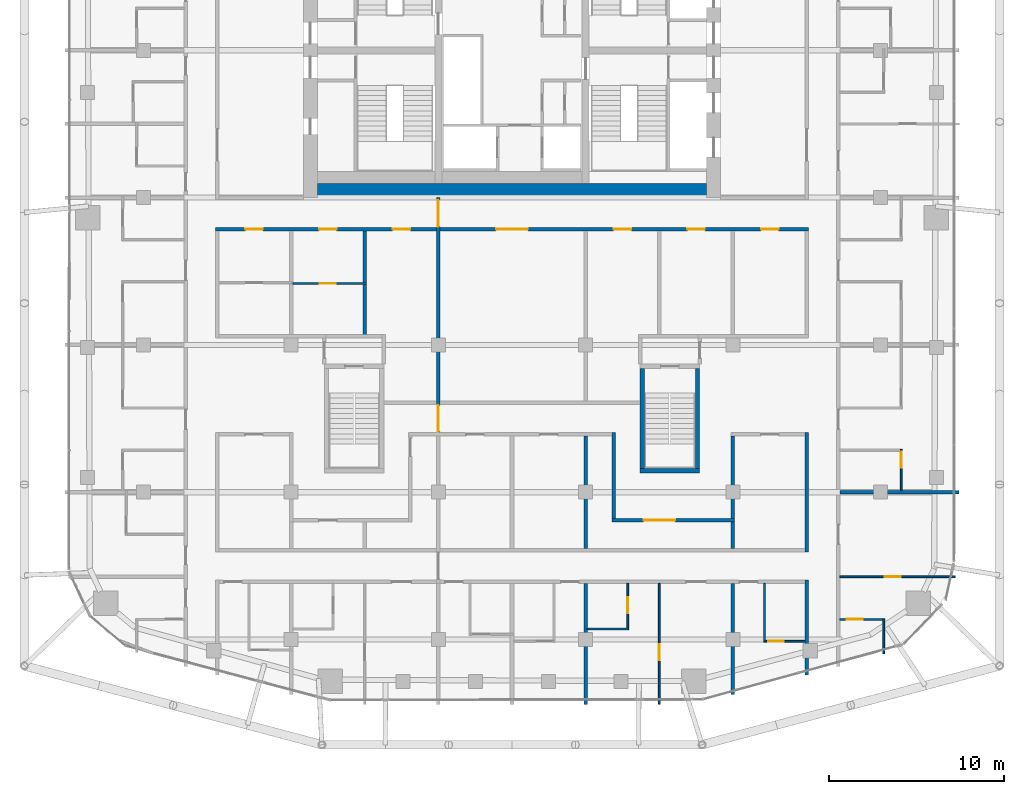
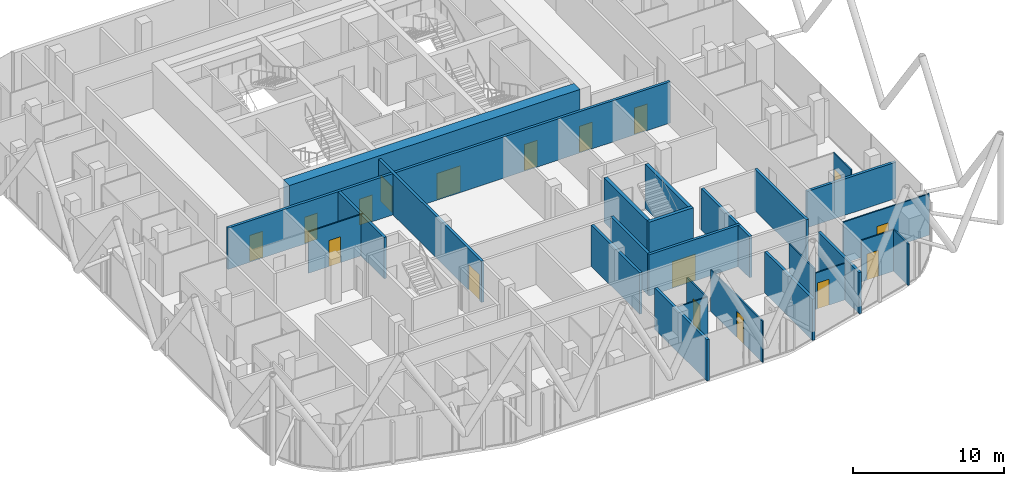
# One storey, part 25 of 31: 27 walls, 17 doors, 17 openings.
"""IFC4 building model written with IfcOpenShell, lengths in metres."""

from ifc_helpers import new_model, si_unit, direction, frame, frame_2d, origin, place, context, subcontext, project, spatial, rectangle, extrude, material, layer, layer_set, type_object, element, fill, save


model = new_model("IFC4")

# Units and contexts
model_context = context("Model", 3, precision=1e-05, world=origin(), true_north=direction((0.0, 1.0)))
body_context = subcontext(model_context, "Body", "Model", "MODEL_VIEW")
ifc_project = project(units=[si_unit("LENGTHUNIT", "METRE"), si_unit("AREAUNIT", "SQUARE_METRE"), si_unit("VOLUMEUNIT", "CUBIC_METRE"), si_unit("PLANEANGLEUNIT", "RADIAN"), si_unit("MASSUNIT", "GRAM", prefix="KILO")], contexts=[model_context])

# Site, building, storey
site_placement = place(None, origin())
site = spatial("IfcSite", under=ifc_project, at=site_placement, CompositionType="ELEMENT")
building_placement = place(site_placement, origin())
building = spatial("IfcBuilding", under=site, at=building_placement, Name="Marenta Gate Hotel Tower", CompositionType="ELEMENT")
storey_placement = place(building_placement, frame((0.0, 0.0, 234.5)))
storey = spatial("IfcBuildingStorey", under=building, at=storey_placement, Name="L55", CompositionType="ELEMENT", Elevation=234.5)

# Wall, openings, doors
ifc_material_1 = material(Name="Concrete blockwork", Category="masonry")
ifc_layer_1 = layer(ifc_material_1, 0.199951171875)
ifc_layer_set_1 = layer_set([ifc_layer_1], Name="Concrete blockwork")
wall_type_1 = type_object("IfcWallType", Name="Compartment wall 200 REI 180", PredefinedType="PARTITIONING", material=ifc_layer_set_1)
wall_1_placement = place(storey_placement, frame((-4.199951171875, -13.60009765625, 0.0), z_axis=(0.0, 0.0, 1.0), x_axis=(0.0, 1.0, 0.0)))
wall_1 = element("IfcWall", 1, at=wall_1_placement, inside=storey, type_object=wall_type_1, Name="L55-PTN-W080", PredefinedType="PARTITIONING", context=body_context, shape_type="SweptSolid", body=[
    extrude(rectangle(XDim=13.60009765625, YDim=0.199951171875, at=frame_2d((6.800048828125, 0.0))), origin(), (0.0, 0.0, 1.0), 3.340087890625),
])
opening_1_placement = place(wall_1_placement, frame((11.949951171875, 0.0, 0.0)))
opening_1 = element("IfcOpeningElement", 2, at=opening_1_placement, cuts=wall_1, Name="Opening G20-FD2", PredefinedType="OPENING", context=body_context, shape_type="SweptSolid", body=[
    extrude(rectangle(XDim=1.5, YDim=2.10009765625, at=frame_2d((0.75, 1.050048828125))), frame((0.0, 0.10009765625, 0.0), z_axis=(0.0, -1.0, 0.0), x_axis=(1.0, 0.0, 0.0)), (0.0, 0.0, 1.0), 0.199951171875),
])
opening_2_placement = place(wall_1_placement, frame((0.25, 0.0, 0.0)))
opening_2 = element("IfcOpeningElement", 3, at=opening_2_placement, cuts=wall_1, Name="Opening G20-FD3", PredefinedType="OPENING", context=body_context, shape_type="SweptSolid", body=[
    extrude(rectangle(XDim=1.5, YDim=2.10009765625, at=frame_2d((0.75, 1.050048828125))), frame((0.0, 0.10009765625, 0.0), z_axis=(0.0, -1.0, 0.0), x_axis=(1.0, 0.0, 0.0)), (0.0, 0.0, 1.0), 0.199951171875),
])
ifc_material_2 = material(Name="Hollow steel door set", Category="steel")
door_type_1 = type_object("IfcDoorType", Name="Compartment fire door 1500x2100 EI 60", OperationType="DOUBLE_DOOR_DOUBLE_SWING", PredefinedType="DOOR", material=ifc_material_2)
door_1_placement = place(opening_1_placement, origin())
door_1 = element("IfcDoor", 4, at=door_1_placement, inside=storey, type_object=door_type_1, Name="L55-PD-FD02", OperationType="DOUBLE_DOOR_DOUBLE_SWING", OverallHeight=2.10009765625, OverallWidth=1.5, PredefinedType="DOOR", context=body_context, shape_type="SweptSolid", body=[
    extrude(rectangle(XDim=1.5, YDim=2.10009765625, at=frame_2d((0.75, 1.050048828125))), frame((0.0, 0.02490234375, 0.0), z_axis=(0.0, -1.0, 0.0), x_axis=(1.0, 0.0, 0.0)), (0.0, 0.0, 1.0), 0.050048828125),
])
fill(opening_1, door_1)
door_2_placement = place(opening_2_placement, origin())
door_2 = element("IfcDoor", 5, at=door_2_placement, inside=storey, type_object=door_type_1, Name="L55-PD-FD03", OperationType="DOUBLE_DOOR_DOUBLE_SWING", OverallHeight=2.10009765625, OverallWidth=1.5, PredefinedType="DOOR", context=body_context, shape_type="SweptSolid", body=[
    extrude(rectangle(XDim=1.5, YDim=2.10009765625, at=frame_2d((0.75, 1.050048828125))), frame((0.0, 0.02490234375, 0.0), z_axis=(0.0, -1.0, 0.0), x_axis=(1.0, 0.0, 0.0)), (0.0, 0.0, 1.0), 0.050048828125),
])
fill(opening_2, door_2)

# Walls
ifc_material_3 = material(Name="Concrete C60", Category="concrete")
ifc_layer_2 = layer(ifc_material_3, 0.800048828125)
ifc_layer_set_2 = layer_set([ifc_layer_2], Name="Concrete C60")
wall_type_2 = type_object("IfcWallType", Name="Core wall 800 C60", PredefinedType="SHEAR", material=ifc_layer_set_2)
wall_2_placement = place(storey_placement, frame((-11.10009765625, 0.39990234375, 0.0), z_axis=(0.0, 0.0, 1.0), x_axis=(1.0, 0.0, 0.0)))
element("IfcWall", 6, at=wall_2_placement, inside=storey, type_object=wall_type_2, Name="L55-CORE-S", PredefinedType="SHEAR", context=body_context, shape_type="SweptSolid", body=[
    extrude(rectangle(XDim=22.2001953125, YDim=0.800048828125, at=frame_2d((11.10009765625, 0.0))), origin(), (0.0, 0.0, 1.0), 3.60009765625),
])
ifc_material_4 = material(Name="Concrete C40", Category="concrete")
ifc_layer_3 = layer(ifc_material_4, 0.25)
ifc_layer_set_3 = layer_set([ifc_layer_3], Name="Concrete C40")
wall_type_3 = type_object("IfcWallType", Name="Remote stair enclosure wall 250 REI 180", PredefinedType="SHEAR", material=ifc_layer_set_3)
wall_3_placement = place(storey_placement, frame((7.300048828125, -15.574951171875, 0.10009765625), z_axis=(0.0, 0.0, 1.0), x_axis=(1.0, 0.0, 0.0)))
element("IfcWall", 7, at=wall_3_placement, inside=storey, type_object=wall_type_3, Name="L55-RS-Z3-2-W1", PredefinedType="SHEAR", context=body_context, shape_type="SweptSolid", body=[
    extrude(rectangle(XDim=3.39990234375, YDim=0.25, at=frame_2d((1.699951171875, 0.0))), origin(), (0.0, 0.0, 1.0), 3.599853515625),
])
for number, where, z_axis, x_axis, name in (
    (8, (7.425048828125, -15.449951171875, 0.10009765625), (0.0, 0.0, 1.0), (0.0, 1.0, 0.0), "L55-RS-Z3-2-W3"),
    (9, (10.574951171875, -15.449951171875, 0.10009765625), (0.0, 0.0, 1.0), (0.0, 1.0, 0.0), "L55-RS-Z3-2-W4"),
):
    element("IfcWall", number, at=place(storey_placement, frame(where, z_axis=z_axis, x_axis=x_axis)), inside=storey, type_object=wall_type_3, Name=name, PredefinedType="SHEAR", context=body_context, shape_type="SweptSolid", body=[
        extrude(rectangle(XDim=5.699951171875, YDim=0.25, at=frame_2d((2.85009765625, 0.0))), origin(), (0.0, 0.0, 1.0), 3.599853515625),
    ])

# Wall, openings, doors
ifc_material_5 = material(Name="Concrete blockwork", Category="masonry")
ifc_layer_4 = layer(ifc_material_5, 0.199951171875)
ifc_layer_set_4 = layer_set([ifc_layer_4], Name="Concrete blockwork")
wall_type_4 = type_object("IfcWallType", Name="Room corridor wall 200 EI 120", PredefinedType="PARTITIONING", material=ifc_layer_set_4)
wall_4_placement = place(storey_placement, frame((-16.89990234375, -1.800048828125, 0.0), z_axis=(0.0, 0.0, 1.0), x_axis=(1.0, 0.0, 0.0)))
wall_4 = element("IfcWall", 10, at=wall_4_placement, inside=storey, type_object=wall_type_4, Name="L55-PTN-W070", PredefinedType="PARTITIONING", context=body_context, shape_type="SweptSolid", body=[
    extrude(rectangle(XDim=33.7998046875, YDim=0.199951171875, at=frame_2d((16.89990234375, 0.0))), origin(), (0.0, 0.0, 1.0), 3.340087890625),
])
opening_3_placement = place(wall_4_placement, frame((1.699951171875, 0.0, 0.0)))
opening_3 = element("IfcOpeningElement", 11, at=opening_3_placement, cuts=wall_4, Name="Opening G20-01", PredefinedType="OPENING", context=body_context, shape_type="SweptSolid", body=[
    extrude(rectangle(XDim=1.0, YDim=2.10009765625, at=frame_2d((0.5, 1.050048828125))), frame((0.0, 0.10009765625, 0.0), z_axis=(0.0, -1.0, 0.0), x_axis=(1.0, 0.0, 0.0)), (0.0, 0.0, 1.0), 0.199951171875),
])
opening_4_placement = place(wall_4_placement, frame((5.89990234375, 0.0, 0.0)))
opening_4 = element("IfcOpeningElement", 12, at=opening_4_placement, cuts=wall_4, Name="Opening G20-03", PredefinedType="OPENING", context=body_context, shape_type="SweptSolid", body=[
    extrude(rectangle(XDim=1.0, YDim=2.10009765625, at=frame_2d((0.5, 1.050048828125))), frame((0.0, 0.10009765625, 0.0), z_axis=(0.0, -1.0, 0.0), x_axis=(1.0, 0.0, 0.0)), (0.0, 0.0, 1.0), 0.199951171875),
])
opening_5_placement = place(wall_4_placement, frame((10.10009765625, 0.0, 0.0)))
opening_5 = element("IfcOpeningElement", 13, at=opening_5_placement, cuts=wall_4, Name="Opening G20-05", PredefinedType="OPENING", context=body_context, shape_type="SweptSolid", body=[
    extrude(rectangle(XDim=1.0, YDim=2.10009765625, at=frame_2d((0.5, 1.050048828125))), frame((0.0, 0.10009765625, 0.0), z_axis=(0.0, -1.0, 0.0), x_axis=(1.0, 0.0, 0.0)), (0.0, 0.0, 1.0), 0.199951171875),
])
opening_6_placement = place(wall_4_placement, frame((16.0, 0.0, 0.0)))
opening_6 = element("IfcOpeningElement", 14, at=opening_6_placement, cuts=wall_4, Name="Opening G20-06", PredefinedType="OPENING", context=body_context, shape_type="SweptSolid", body=[
    extrude(rectangle(XDim=1.800048828125, YDim=2.10009765625, at=frame_2d((0.89990234375, 1.050048828125))), frame((0.0, 0.10009765625, 0.0), z_axis=(0.0, -1.0, 0.0), x_axis=(1.0, 0.0, 0.0)), (0.0, 0.0, 1.0), 0.199951171875),
])
opening_7_placement = place(wall_4_placement, frame((22.699951171875, 0.0, 0.0)))
opening_7 = element("IfcOpeningElement", 15, at=opening_7_placement, cuts=wall_4, Name="Opening G20-07", PredefinedType="OPENING", context=body_context, shape_type="SweptSolid", body=[
    extrude(rectangle(XDim=1.0, YDim=2.10009765625, at=frame_2d((0.5, 1.050048828125))), frame((0.0, 0.10009765625, 0.0), z_axis=(0.0, -1.0, 0.0), x_axis=(1.0, 0.0, 0.0)), (0.0, 0.0, 1.0), 0.199951171875),
])
opening_8_placement = place(wall_4_placement, frame((26.89990234375, 0.0, 0.0)))
opening_8 = element("IfcOpeningElement", 16, at=opening_8_placement, cuts=wall_4, Name="Opening G20-08", PredefinedType="OPENING", context=body_context, shape_type="SweptSolid", body=[
    extrude(rectangle(XDim=1.0, YDim=2.10009765625, at=frame_2d((0.5, 1.050048828125))), frame((0.0, 0.10009765625, 0.0), z_axis=(0.0, -1.0, 0.0), x_axis=(1.0, 0.0, 0.0)), (0.0, 0.0, 1.0), 0.199951171875),
])
opening_9_placement = place(wall_4_placement, frame((31.10009765625, 0.0, 0.0)))
opening_9 = element("IfcOpeningElement", 17, at=opening_9_placement, cuts=wall_4, Name="Opening G20-09", PredefinedType="OPENING", context=body_context, shape_type="SweptSolid", body=[
    extrude(rectangle(XDim=1.0, YDim=2.10009765625, at=frame_2d((0.5, 1.050048828125))), frame((0.0, 0.10009765625, 0.0), z_axis=(0.0, -1.0, 0.0), x_axis=(1.0, 0.0, 0.0)), (0.0, 0.0, 1.0), 0.199951171875),
])
ifc_material_6 = material(Name="Timber door leaf", Category="wood")
door_type_2 = type_object("IfcDoorType", Name="Room amenity door 1000x2100 EI 60", OperationType="NOTDEFINED", PredefinedType="DOOR", material=ifc_material_6)
door_3_placement = place(opening_5_placement, origin())
door_3 = element("IfcDoor", 18, at=door_3_placement, inside=storey, type_object=door_type_2, Name="L55-PD-D005", OperationType="SINGLE_SWING_RIGHT", OverallHeight=2.10009765625, OverallWidth=1.0, PredefinedType="DOOR", context=body_context, shape_type="SweptSolid", body=[
    extrude(rectangle(XDim=1.0, YDim=2.10009765625, at=frame_2d((0.5, 1.050048828125))), frame((0.0, 0.02490234375, 0.0), z_axis=(0.0, -1.0, 0.0), x_axis=(1.0, 0.0, 0.0)), (0.0, 0.0, 1.0), 0.050048828125),
])
fill(opening_5, door_3)
door_4_placement = place(opening_7_placement, origin())
door_4 = element("IfcDoor", 19, at=door_4_placement, inside=storey, type_object=door_type_2, Name="L55-PD-D007", OperationType="SINGLE_SWING_RIGHT", OverallHeight=2.10009765625, OverallWidth=1.0, PredefinedType="DOOR", context=body_context, shape_type="SweptSolid", body=[
    extrude(rectangle(XDim=1.0, YDim=2.10009765625, at=frame_2d((0.5, 1.050048828125))), frame((0.0, 0.02490234375, 0.0), z_axis=(0.0, -1.0, 0.0), x_axis=(1.0, 0.0, 0.0)), (0.0, 0.0, 1.0), 0.050048828125),
])
fill(opening_7, door_4)
door_5_placement = place(opening_8_placement, origin())
door_5 = element("IfcDoor", 20, at=door_5_placement, inside=storey, type_object=door_type_2, Name="L55-PD-D008", OperationType="SINGLE_SWING_LEFT", OverallHeight=2.10009765625, OverallWidth=1.0, PredefinedType="DOOR", context=body_context, shape_type="SweptSolid", body=[
    extrude(rectangle(XDim=1.0, YDim=2.10009765625, at=frame_2d((0.5, 1.050048828125))), frame((0.0, 0.02490234375, 0.0), z_axis=(0.0, -1.0, 0.0), x_axis=(1.0, 0.0, 0.0)), (0.0, 0.0, 1.0), 0.050048828125),
])
fill(opening_8, door_5)
door_6_placement = place(opening_9_placement, origin())
door_6 = element("IfcDoor", 21, at=door_6_placement, inside=storey, type_object=door_type_2, Name="L55-PD-D009", OperationType="SINGLE_SWING_RIGHT", OverallHeight=2.10009765625, OverallWidth=1.0, PredefinedType="DOOR", context=body_context, shape_type="SweptSolid", body=[
    extrude(rectangle(XDim=1.0, YDim=2.10009765625, at=frame_2d((0.5, 1.050048828125))), frame((0.0, 0.02490234375, 0.0), z_axis=(0.0, -1.0, 0.0), x_axis=(1.0, 0.0, 0.0)), (0.0, 0.0, 1.0), 0.050048828125),
])
fill(opening_9, door_6)
ifc_material_7 = material(Name="Timber door leaf", Category="wood")
door_type_3 = type_object("IfcDoorType", Name="Room amenity door 1800x2100 EI 60", OperationType="DOUBLE_DOOR_SINGLE_SWING", PredefinedType="DOOR", material=ifc_material_7)
door_7_placement = place(opening_6_placement, origin())
door_7 = element("IfcDoor", 22, at=door_7_placement, inside=storey, type_object=door_type_3, Name="L55-PD-D006", OperationType="DOUBLE_DOOR_SINGLE_SWING", OverallHeight=2.10009765625, OverallWidth=1.800048828125, PredefinedType="DOOR", context=body_context, shape_type="SweptSolid", body=[
    extrude(rectangle(XDim=1.800048828125, YDim=2.10009765625, at=frame_2d((0.89990234375, 1.050048828125))), frame((0.0, 0.02490234375, 0.0), z_axis=(0.0, -1.0, 0.0), x_axis=(1.0, 0.0, 0.0)), (0.0, 0.0, 1.0), 0.050048828125),
])
fill(opening_6, door_7)
ifc_material_8 = material(Name="Hollow steel door set", Category="steel")
door_type_4 = type_object("IfcDoorType", Name="Room service door 1000x2100 EI 60", OperationType="NOTDEFINED", PredefinedType="DOOR", material=ifc_material_8)
door_8_placement = place(opening_3_placement, origin())
door_8 = element("IfcDoor", 23, at=door_8_placement, inside=storey, type_object=door_type_4, Name="L55-PD-D001", OperationType="SINGLE_SWING_LEFT", OverallHeight=2.10009765625, OverallWidth=1.0, PredefinedType="DOOR", context=body_context, shape_type="SweptSolid", body=[
    extrude(rectangle(XDim=1.0, YDim=2.10009765625, at=frame_2d((0.5, 1.050048828125))), frame((0.0, 0.02490234375, 0.0), z_axis=(0.0, -1.0, 0.0), x_axis=(1.0, 0.0, 0.0)), (0.0, 0.0, 1.0), 0.050048828125),
])
fill(opening_3, door_8)
door_9_placement = place(opening_4_placement, origin())
door_9 = element("IfcDoor", 24, at=door_9_placement, inside=storey, type_object=door_type_4, Name="L55-PD-D003", OperationType="SINGLE_SWING_LEFT", OverallHeight=2.10009765625, OverallWidth=1.0, PredefinedType="DOOR", context=body_context, shape_type="SweptSolid", body=[
    extrude(rectangle(XDim=1.0, YDim=2.10009765625, at=frame_2d((0.5, 1.050048828125))), frame((0.0, 0.02490234375, 0.0), z_axis=(0.0, -1.0, 0.0), x_axis=(1.0, 0.0, 0.0)), (0.0, 0.0, 1.0), 0.050048828125),
])
fill(opening_4, door_9)

# Wall, opening, door
ifc_material_9 = material(Name="Gypsum board on steel stud", Category="steel")
ifc_layer_5 = layer(ifc_material_9, 0.199951171875)
ifc_layer_set_5 = layer_set([ifc_layer_5], Name="Gypsum board on steel stud")
wall_type_5 = type_object("IfcWallType", Name="Room corridor wall 200 EI 60", PredefinedType="PARTITIONING", material=ifc_layer_set_5)
wall_5_placement = place(storey_placement, frame((5.699951171875, -18.39990234375, 0.0), z_axis=(0.0, 0.0, 1.0), x_axis=(1.0, 0.0, 0.0)))
wall_5 = element("IfcWall", 25, at=wall_5_placement, inside=storey, type_object=wall_type_5, Name="L55-PTN-W025", PredefinedType="PARTITIONING", context=body_context, shape_type="SweptSolid", body=[
    extrude(rectangle(XDim=7.0, YDim=0.199951171875, at=frame_2d((3.5, 0.0))), origin(), (0.0, 0.0, 1.0), 3.340087890625),
])
opening_10_placement = place(wall_5_placement, frame((1.800048828125, 0.0, 0.0)))
opening_10 = element("IfcOpeningElement", 26, at=opening_10_placement, cuts=wall_5, Name="Opening G20-15", PredefinedType="OPENING", context=body_context, shape_type="SweptSolid", body=[
    extrude(rectangle(XDim=1.800048828125, YDim=2.10009765625, at=frame_2d((0.89990234375, 1.050048828125))), frame((0.0, 0.10009765625, 0.0), z_axis=(0.0, -1.0, 0.0), x_axis=(1.0, 0.0, 0.0)), (0.0, 0.0, 1.0), 0.199951171875),
])
ifc_material_10 = material(Name="Timber door leaf", Category="wood")
door_type_5 = type_object("IfcDoorType", Name="Room amenity door 1800x2100 EI 30", OperationType="DOUBLE_DOOR_SINGLE_SWING", PredefinedType="DOOR", material=ifc_material_10)
door_10_placement = place(opening_10_placement, origin())
door_10 = element("IfcDoor", 27, at=door_10_placement, inside=storey, type_object=door_type_5, Name="L55-PD-D015", OperationType="DOUBLE_DOOR_SINGLE_SWING", OverallHeight=2.10009765625, OverallWidth=1.800048828125, PredefinedType="DOOR", context=body_context, shape_type="SweptSolid", body=[
    extrude(rectangle(XDim=1.800048828125, YDim=2.10009765625, at=frame_2d((0.89990234375, 1.050048828125))), frame((0.0, 0.02490234375, 0.0), z_axis=(0.0, -1.0, 0.0), x_axis=(1.0, 0.0, 0.0)), (0.0, 0.0, 1.0), 0.050048828125),
])
fill(opening_10, door_10)

# Walls
wall_6_placement = place(storey_placement, frame((16.800048828125, -27.22900390625, 0.0), z_axis=(0.0, 0.0, 1.0), x_axis=(0.0, 1.0, 0.0)))
element("IfcWall", 28, at=wall_6_placement, inside=storey, type_object=wall_type_5, Name="L55-PTN-W026", PredefinedType="PARTITIONING", context=body_context, shape_type="SweptSolid", body=[
    extrude(rectangle(XDim=5.428955078125, YDim=0.199951171875, at=frame_2d((2.71435546875, 0.0))), origin(), (0.0, 0.0, 1.0), 3.340087890625),
])
wall_7_placement = place(storey_placement, frame((16.800048828125, -20.199951171875, 0.0), z_axis=(0.0, 0.0, 1.0), x_axis=(0.0, 1.0, 0.0)))
element("IfcWall", 29, at=wall_7_placement, inside=storey, type_object=wall_type_5, Name="L55-PTN-W027", PredefinedType="PARTITIONING", context=body_context, shape_type="SweptSolid", body=[
    extrude(rectangle(XDim=6.800048828125, YDim=0.199951171875, at=frame_2d((3.39990234375, 0.0))), origin(), (0.0, 0.0, 1.0), 3.340087890625),
])
wall_8_placement = place(storey_placement, frame((12.60009765625, -18.300048828125, 0.0), z_axis=(0.0, 0.0, 1.0), x_axis=(0.0, 1.0, 0.0)))
element("IfcWall", 30, at=wall_8_placement, inside=storey, type_object=wall_type_5, Name="L55-PTN-W042", PredefinedType="PARTITIONING", context=body_context, shape_type="SweptSolid", body=[
    extrude(rectangle(XDim=4.699951171875, YDim=0.199951171875, at=frame_2d((2.35009765625, 0.0))), origin(), (0.0, 0.0, 1.0), 3.340087890625),
])
wall_9_placement = place(storey_placement, frame((5.800048828125, -18.300048828125, 0.0), z_axis=(0.0, 0.0, 1.0), x_axis=(0.0, 1.0, 0.0)))
element("IfcWall", 31, at=wall_9_placement, inside=storey, type_object=wall_type_5, Name="L55-PTN-W058", PredefinedType="PARTITIONING", context=body_context, shape_type="SweptSolid", body=[
    extrude(rectangle(XDim=4.900146484375, YDim=0.199951171875, at=frame_2d((2.4501953125, 0.0))), origin(), (0.0, 0.0, 1.0), 3.340087890625),
])

# Wall, opening, door
ifc_material_11 = material(Name="Gypsum board on steel stud", Category="steel")
ifc_layer_6 = layer(ifc_material_11, 0.10009765625)
ifc_layer_set_6 = layer_set([ifc_layer_6], Name="Gypsum board on steel stud")
wall_type_6 = type_object("IfcWallType", Name="Room partition 100", PredefinedType="PARTITIONING", material=ifc_layer_set_6)
wall_10_placement = place(storey_placement, frame((14.449951171875, -25.300048828125, 0.0), z_axis=(0.0, 0.0, 1.0), x_axis=(1.0, 0.0, 0.0)))
wall_10 = element("IfcWall", 32, at=wall_10_placement, inside=storey, type_object=wall_type_6, Name="L55-PTN-W004", PredefinedType="PARTITIONING", context=body_context, shape_type="SweptSolid", body=[
    extrude(rectangle(XDim=2.25, YDim=0.10009765625, at=frame_2d((1.125, 0.0))), origin(), (0.0, 0.0, 1.0), 2.93994140625),
])
opening_11_placement = place(wall_10_placement, frame((0.14990234375, 0.0, 0.0)))
opening_11 = element("IfcOpeningElement", 33, at=opening_11_placement, cuts=wall_10, Name="Opening G20-51", PredefinedType="OPENING", context=body_context, shape_type="SweptSolid", body=[
    extrude(rectangle(XDim=0.89990234375, YDim=2.10009765625, at=frame_2d((0.449951171875, 1.050048828125))), frame((0.0, 0.050048828125, 0.0), z_axis=(0.0, -1.0, 0.0), x_axis=(1.0, 0.0, 0.0)), (0.0, 0.0, 1.0), 0.10009765625),
])
ifc_material_12 = material(Name="Timber door leaf", Category="wood")
door_type_6 = type_object("IfcDoorType", Name="Guest bathroom door 900x2100", OperationType="NOTDEFINED", PredefinedType="DOOR", material=ifc_material_12)
door_11_placement = place(opening_11_placement, origin())
door_11 = element("IfcDoor", 34, at=door_11_placement, inside=storey, type_object=door_type_6, Name="L55-PD-D051", OperationType="SINGLE_SWING_LEFT", OverallHeight=2.10009765625, OverallWidth=0.89990234375, PredefinedType="DOOR", context=body_context, shape_type="SweptSolid", body=[
    extrude(rectangle(XDim=0.89990234375, YDim=2.10009765625, at=frame_2d((0.449951171875, 1.050048828125))), frame((0.0, 0.02490234375, 0.0), z_axis=(0.0, -1.0, 0.0), x_axis=(1.0, 0.0, 0.0)), (0.0, 0.0, 1.0), 0.050048828125),
])
fill(opening_11, door_11)

# Wall
wall_11_placement = place(storey_placement, frame((4.300048828125, -24.60009765625, 0.0), z_axis=(0.0, 0.0, 1.0), x_axis=(1.0, 0.0, 0.0)))
element("IfcWall", 35, at=wall_11_placement, inside=storey, type_object=wall_type_6, Name="L55-PTN-W007", PredefinedType="PARTITIONING", context=body_context, shape_type="SweptSolid", body=[
    extrude(rectangle(XDim=2.349853515625, YDim=0.10009765625, at=frame_2d((1.1748046875, 0.0))), origin(), (0.0, 0.0, 1.0), 3.340087890625),
])

# Wall, opening, door
wall_12_placement = place(storey_placement, frame((18.699951171875, -24.051025390625, 0.0), z_axis=(0.0, 0.0, 1.0), x_axis=(1.0, 0.0, 0.0)))
wall_12 = element("IfcWall", 36, at=wall_12_placement, inside=storey, type_object=wall_type_6, Name="L55-PTN-W009", PredefinedType="PARTITIONING", context=body_context, shape_type="SweptSolid", body=[
    extrude(rectangle(XDim=2.449951171875, YDim=0.10009765625, at=frame_2d((1.22509765625, 0.0))), origin(), (0.0, 0.0, 1.0), 3.340087890625),
])
opening_12_placement = place(wall_12_placement, frame((0.39990234375, 0.0, 0.0)))
opening_12 = element("IfcOpeningElement", 37, at=opening_12_placement, cuts=wall_12, Name="Opening G20-19", PredefinedType="OPENING", context=body_context, shape_type="SweptSolid", body=[
    extrude(rectangle(XDim=0.89990234375, YDim=2.10009765625, at=frame_2d((0.449951171875, 1.050048828125))), frame((0.0, 0.050048828125, 0.0), z_axis=(0.0, -1.0, 0.0), x_axis=(1.0, 0.0, 0.0)), (0.0, 0.0, 1.0), 0.10009765625),
])
door_12_placement = place(opening_12_placement, origin())
door_12 = element("IfcDoor", 38, at=door_12_placement, inside=storey, type_object=door_type_6, Name="L55-PD-D019", OperationType="SINGLE_SWING_RIGHT", OverallHeight=2.10009765625, OverallWidth=0.89990234375, PredefinedType="DOOR", context=body_context, shape_type="SweptSolid", body=[
    extrude(rectangle(XDim=0.89990234375, YDim=2.10009765625, at=frame_2d((0.449951171875, 1.050048828125))), frame((0.0, 0.02490234375, 0.0), z_axis=(0.0, -1.0, 0.0), x_axis=(1.0, 0.0, 0.0)), (0.0, 0.0, 1.0), 0.050048828125),
])
fill(opening_12, door_12)

wall_13_placement = place(storey_placement, frame((22.199951171875, -16.699951171875, 0.0), z_axis=(0.0, 0.0, 1.0), x_axis=(0.0, 1.0, 0.0)))
wall_13 = element("IfcWall", 39, at=wall_13_placement, inside=storey, type_object=wall_type_6, Name="L55-PTN-W010", PredefinedType="PARTITIONING", context=body_context, shape_type="SweptSolid", body=[
    extrude(rectangle(XDim=2.349853515625, YDim=0.10009765625, at=frame_2d((1.1748046875, 0.0))), origin(), (0.0, 0.0, 1.0), 3.340087890625),
])
opening_13_placement = place(wall_13_placement, frame((1.300048828125, 0.0, 0.0)))
opening_13 = element("IfcOpeningElement", 40, at=opening_13_placement, cuts=wall_13, Name="Opening G20-22", PredefinedType="OPENING", context=body_context, shape_type="SweptSolid", body=[
    extrude(rectangle(XDim=0.89990234375, YDim=2.10009765625, at=frame_2d((0.449951171875, 1.050048828125))), frame((0.0, 0.050048828125, 0.0), z_axis=(0.0, -1.0, 0.0), x_axis=(1.0, 0.0, 0.0)), (0.0, 0.0, 1.0), 0.10009765625),
])
ifc_material_13 = material(Name="Timber door leaf", Category="wood")
door_type_7 = type_object("IfcDoorType", Name="Room inner door 900x2100", OperationType="NOTDEFINED", PredefinedType="DOOR", material=ifc_material_13)
door_13_placement = place(opening_13_placement, origin())
door_13 = element("IfcDoor", 41, at=door_13_placement, inside=storey, type_object=door_type_7, Name="L55-PD-D022", OperationType="SINGLE_SWING_RIGHT", OverallHeight=2.10009765625, OverallWidth=0.89990234375, PredefinedType="DOOR", context=body_context, shape_type="SweptSolid", body=[
    extrude(rectangle(XDim=0.89990234375, YDim=2.10009765625, at=frame_2d((0.449951171875, 1.050048828125))), frame((0.0, 0.02490234375, 0.0), z_axis=(0.0, -1.0, 0.0), x_axis=(1.0, 0.0, 0.0)), (0.0, 0.0, 1.0), 0.050048828125),
])
fill(opening_13, door_13)

wall_14_placement = place(storey_placement, frame((18.699951171875, -21.625, 0.0), z_axis=(0.0, 0.0, 1.0), x_axis=(1.0, 0.0, 0.0)))
wall_14 = element("IfcWall", 42, at=wall_14_placement, inside=storey, type_object=wall_type_6, Name="L55-PTN-W017", PredefinedType="PARTITIONING", context=body_context, shape_type="SweptSolid", body=[
    extrude(rectangle(XDim=6.575927734375, YDim=0.10009765625, at=frame_2d((3.2880859375, 0.0))), origin(), (0.0, 0.0, 1.0), 3.340087890625),
])
opening_14_placement = place(wall_14_placement, frame((2.56005859375, 0.0, 0.0)))
opening_14 = element("IfcOpeningElement", 43, at=opening_14_placement, cuts=wall_14, Name="Opening G20-18", PredefinedType="OPENING", context=body_context, shape_type="SweptSolid", body=[
    extrude(rectangle(XDim=0.89990234375, YDim=2.10009765625, at=frame_2d((0.449951171875, 1.050048828125))), frame((0.0, 0.050048828125, 0.0), z_axis=(0.0, -1.0, 0.0), x_axis=(1.0, 0.0, 0.0)), (0.0, 0.0, 1.0), 0.10009765625),
])
door_14_placement = place(opening_14_placement, origin())
door_14 = element("IfcDoor", 44, at=door_14_placement, inside=storey, type_object=door_type_7, Name="L55-PD-D018", OperationType="SINGLE_SWING_LEFT", OverallHeight=2.10009765625, OverallWidth=0.89990234375, PredefinedType="DOOR", context=body_context, shape_type="SweptSolid", body=[
    extrude(rectangle(XDim=0.89990234375, YDim=2.10009765625, at=frame_2d((0.449951171875, 1.050048828125))), frame((0.0, 0.02490234375, 0.0), z_axis=(0.0, -1.0, 0.0), x_axis=(1.0, 0.0, 0.0)), (0.0, 0.0, 1.0), 0.050048828125),
])
fill(opening_14, door_14)

# Walls
wall_15_placement = place(storey_placement, frame((21.199951171875, -26.0048828125, 0.0), z_axis=(0.0, 0.0, 1.0), x_axis=(0.0, 1.0, 0.0)))
element("IfcWall", 45, at=wall_15_placement, inside=storey, type_object=wall_type_6, Name="L55-PTN-W019", PredefinedType="PARTITIONING", context=body_context, shape_type="SweptSolid", body=[
    extrude(rectangle(XDim=2.00390625, YDim=0.10009765625, at=frame_2d((1.001953125, 0.0))), origin(), (0.0, 0.0, 1.0), 3.340087890625),
])
wall_16_placement = place(storey_placement, frame((14.39990234375, -25.35009765625, 0.0), z_axis=(0.0, 0.0, 1.0), x_axis=(0.0, 1.0, 0.0)))
element("IfcWall", 46, at=wall_16_placement, inside=storey, type_object=wall_type_6, Name="L55-PTN-W032", PredefinedType="PARTITIONING", context=body_context, shape_type="SweptSolid", body=[
    extrude(rectangle(XDim=3.35009765625, YDim=0.10009765625, at=frame_2d((1.675048828125, 0.0))), origin(), (0.0, 0.0, 1.0), 3.340087890625),
])

# Wall, opening, door
wall_17_placement = place(storey_placement, frame((8.39990234375, -28.89990234375, 0.0), z_axis=(0.0, 0.0, 1.0), x_axis=(0.0, 1.0, 0.0)))
wall_17 = element("IfcWall", 47, at=wall_17_placement, inside=storey, type_object=wall_type_6, Name="L55-PTN-W047", PredefinedType="PARTITIONING", context=body_context, shape_type="SweptSolid", body=[
    extrude(rectangle(XDim=6.89990234375, YDim=0.10009765625, at=frame_2d((3.449951171875, 0.0))), origin(), (0.0, 0.0, 1.0), 3.340087890625),
])
opening_15_placement = place(wall_17_placement, frame((2.530029296875, 0.0, 0.0)))
opening_15 = element("IfcOpeningElement", 48, at=opening_15_placement, cuts=wall_17, Name="Opening G20-48", PredefinedType="OPENING", context=body_context, shape_type="SweptSolid", body=[
    extrude(rectangle(XDim=0.89990234375, YDim=2.10009765625, at=frame_2d((0.449951171875, 1.050048828125))), frame((0.0, 0.050048828125, 0.0), z_axis=(0.0, -1.0, 0.0), x_axis=(1.0, 0.0, 0.0)), (0.0, 0.0, 1.0), 0.10009765625),
])
door_15_placement = place(opening_15_placement, origin())
door_15 = element("IfcDoor", 49, at=door_15_placement, inside=storey, type_object=door_type_7, Name="L55-PD-D048", OperationType="SINGLE_SWING_LEFT", OverallHeight=2.10009765625, OverallWidth=0.89990234375, PredefinedType="DOOR", context=body_context, shape_type="SweptSolid", body=[
    extrude(rectangle(XDim=0.89990234375, YDim=2.10009765625, at=frame_2d((0.449951171875, 1.050048828125))), frame((0.0, 0.02490234375, 0.0), z_axis=(0.0, -1.0, 0.0), x_axis=(1.0, 0.0, 0.0)), (0.0, 0.0, 1.0), 0.050048828125),
])
fill(opening_15, door_15)

wall_18_placement = place(storey_placement, frame((6.60009765625, -24.550048828125, 0.0), z_axis=(0.0, 0.0, 1.0), x_axis=(0.0, 1.0, 0.0)))
wall_18 = element("IfcWall", 50, at=wall_18_placement, inside=storey, type_object=wall_type_6, Name="L55-PTN-W057", PredefinedType="PARTITIONING", context=body_context, shape_type="SweptSolid", body=[
    extrude(rectangle(XDim=2.550048828125, YDim=0.10009765625, at=frame_2d((1.27490234375, 0.0))), origin(), (0.0, 0.0, 1.0), 3.340087890625),
])
opening_16_placement = place(wall_18_placement, frame((0.85009765625, 0.0, 0.0)))
opening_16 = element("IfcOpeningElement", 51, at=opening_16_placement, cuts=wall_18, Name="Opening G20-49", PredefinedType="OPENING", context=body_context, shape_type="SweptSolid", body=[
    extrude(rectangle(XDim=0.89990234375, YDim=2.10009765625, at=frame_2d((0.449951171875, 1.050048828125))), frame((0.0, 0.050048828125, 0.0), z_axis=(0.0, -1.0, 0.0), x_axis=(1.0, 0.0, 0.0)), (0.0, 0.0, 1.0), 0.10009765625),
])
door_16_placement = place(opening_16_placement, origin())
door_16 = element("IfcDoor", 52, at=door_16_placement, inside=storey, type_object=door_type_6, Name="L55-PD-D049", OperationType="SINGLE_SWING_RIGHT", OverallHeight=2.10009765625, OverallWidth=0.89990234375, PredefinedType="DOOR", context=body_context, shape_type="SweptSolid", body=[
    extrude(rectangle(XDim=0.89990234375, YDim=2.10009765625, at=frame_2d((0.449951171875, 1.050048828125))), frame((0.0, 0.02490234375, 0.0), z_axis=(0.0, -1.0, 0.0), x_axis=(1.0, 0.0, 0.0)), (0.0, 0.0, 1.0), 0.050048828125),
])
fill(opening_16, door_16)

wall_19_placement = place(storey_placement, frame((-12.5, -4.89990234375, 0.0), z_axis=(0.0, 0.0, 1.0), x_axis=(1.0, 0.0, 0.0)))
wall_19 = element("IfcWall", 53, at=wall_19_placement, inside=storey, type_object=wall_type_6, Name="L55-PTN-W059", PredefinedType="PARTITIONING", context=body_context, shape_type="SweptSolid", body=[
    extrude(rectangle(XDim=4.199951171875, YDim=0.10009765625, at=frame_2d((2.10009765625, 0.0))), origin(), (0.0, 0.0, 1.0), 3.340087890625),
])
opening_17_placement = place(wall_19_placement, frame((1.550048828125, 0.0, 0.0)))
opening_17 = element("IfcOpeningElement", 54, at=opening_17_placement, cuts=wall_19, Name="Opening G20-04", PredefinedType="OPENING", context=body_context, shape_type="SweptSolid", body=[
    extrude(rectangle(XDim=0.89990234375, YDim=2.10009765625, at=frame_2d((0.449951171875, 1.050048828125))), frame((0.0, 0.050048828125, 0.0), z_axis=(0.0, -1.0, 0.0), x_axis=(1.0, 0.0, 0.0)), (0.0, 0.0, 1.0), 0.10009765625),
])
door_17_placement = place(opening_17_placement, origin())
door_17 = element("IfcDoor", 55, at=door_17_placement, inside=storey, type_object=door_type_7, Name="L55-PD-D004", OperationType="SINGLE_SWING_RIGHT", OverallHeight=2.10009765625, OverallWidth=0.89990234375, PredefinedType="DOOR", context=body_context, shape_type="SweptSolid", body=[
    extrude(rectangle(XDim=0.89990234375, YDim=2.10009765625, at=frame_2d((0.449951171875, 1.050048828125))), frame((0.0, 0.02490234375, 0.0), z_axis=(0.0, -1.0, 0.0), x_axis=(1.0, 0.0, 0.0)), (0.0, 0.0, 1.0), 0.050048828125),
])
fill(opening_17, door_17)

# Walls
ifc_material_14 = material(Name="Concrete blockwork", Category="masonry")
ifc_layer_7 = layer(ifc_material_14, 0.199951171875)
ifc_layer_set_7 = layer_set([ifc_layer_7], Name="Concrete blockwork")
wall_type_7 = type_object("IfcWallType", Name="Room party wall 200 EI 120", PredefinedType="PARTITIONING", material=ifc_layer_set_7)
wall_20_placement = place(storey_placement, frame((-8.39990234375, -8.0, 0.0), z_axis=(0.0, 0.0, 1.0), x_axis=(0.0, 1.0, 0.0)))
element("IfcWall", 56, at=wall_20_placement, inside=storey, type_object=wall_type_7, Name="L55-PTN-W090", PredefinedType="PARTITIONING", context=body_context, shape_type="SweptSolid", body=[
    extrude(rectangle(XDim=6.10009765625, YDim=0.199951171875, at=frame_2d((3.050048828125, 0.0))), origin(), (0.0, 0.0, 1.0), 3.340087890625),
])
ifc_material_15 = material(Name="Gypsum board on steel stud", Category="steel")
ifc_layer_8 = layer(ifc_material_15, 0.199951171875)
ifc_layer_set_8 = layer_set([ifc_layer_8], Name="Gypsum board on steel stud")
wall_type_8 = type_object("IfcWallType", Name="Room party wall 200 EI 60", PredefinedType="PARTITIONING", material=ifc_layer_set_8)
wall_21_placement = place(storey_placement, frame((18.699951171875, -16.800048828125, 0.0), z_axis=(0.0, 0.0, 1.0), x_axis=(1.0, 0.0, 0.0)))
element("IfcWall", 57, at=wall_21_placement, inside=storey, type_object=wall_type_8, Name="L55-PTN-W031", PredefinedType="PARTITIONING", context=body_context, shape_type="SweptSolid", body=[
    extrude(rectangle(XDim=6.800048828125, YDim=0.199951171875, at=frame_2d((3.39990234375, 0.0))), origin(), (0.0, 0.0, 1.0), 2.93994140625),
])
wall_22_placement = place(storey_placement, frame((12.60009765625, -28.343017578125, 0.0), z_axis=(0.0, 0.0, 1.0), x_axis=(0.0, 1.0, 0.0)))
element("IfcWall", 58, at=wall_22_placement, inside=storey, type_object=wall_type_8, Name="L55-PTN-W038", PredefinedType="PARTITIONING", context=body_context, shape_type="SweptSolid", body=[
    extrude(rectangle(XDim=6.343017578125, YDim=0.199951171875, at=frame_2d((3.17138671875, 0.0))), origin(), (0.0, 0.0, 1.0), 3.340087890625),
])
wall_23_placement = place(storey_placement, frame((12.60009765625, -20.0, 0.0), z_axis=(0.0, 0.0, 1.0), x_axis=(0.0, 1.0, 0.0)))
element("IfcWall", 59, at=wall_23_placement, inside=storey, type_object=wall_type_8, Name="L55-PTN-W039", PredefinedType="PARTITIONING", context=body_context, shape_type="SweptSolid", body=[
    extrude(rectangle(XDim=1.5, YDim=0.199951171875, at=frame_2d((0.75, 0.0))), origin(), (0.0, 0.0, 1.0), 3.340087890625),
])
wall_24_placement = place(storey_placement, frame((4.199951171875, -28.89990234375, 0.0), z_axis=(0.0, 0.0, 1.0), x_axis=(0.0, 1.0, 0.0)))
element("IfcWall", 60, at=wall_24_placement, inside=storey, type_object=wall_type_8, Name="L55-PTN-W063", PredefinedType="PARTITIONING", context=body_context, shape_type="SweptSolid", body=[
    extrude(rectangle(XDim=6.89990234375, YDim=0.199951171875, at=frame_2d((3.449951171875, 0.0))), origin(), (0.0, 0.0, 1.0), 3.340087890625),
])
wall_25_placement = place(storey_placement, frame((4.199951171875, -20.0, 0.0), z_axis=(0.0, 0.0, 1.0), x_axis=(0.0, 1.0, 0.0)))
element("IfcWall", 61, at=wall_25_placement, inside=storey, type_object=wall_type_8, Name="L55-PTN-W064", PredefinedType="PARTITIONING", context=body_context, shape_type="SweptSolid", body=[
    extrude(rectangle(XDim=6.39990234375, YDim=0.199951171875, at=frame_2d((3.199951171875, 0.0))), origin(), (0.0, 0.0, 1.0), 3.340087890625),
])

save(model, "model.ifc")
